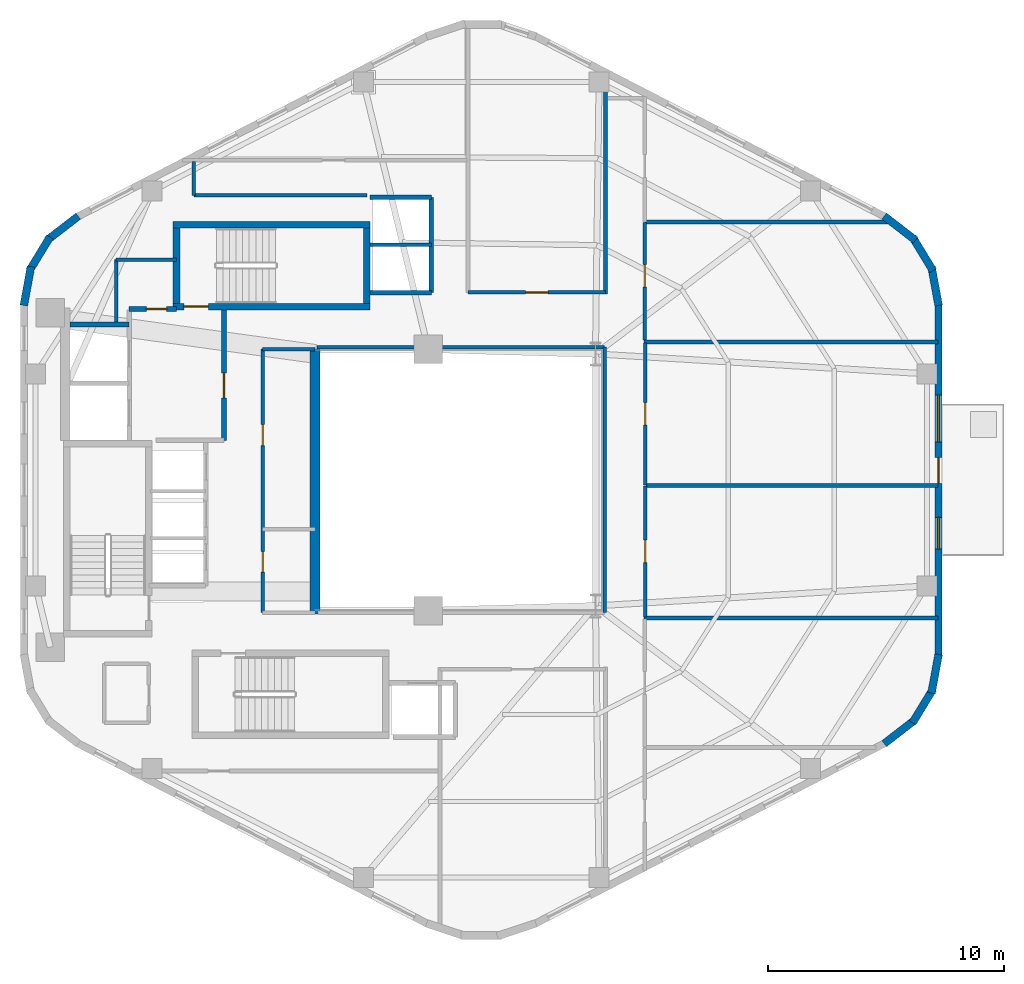
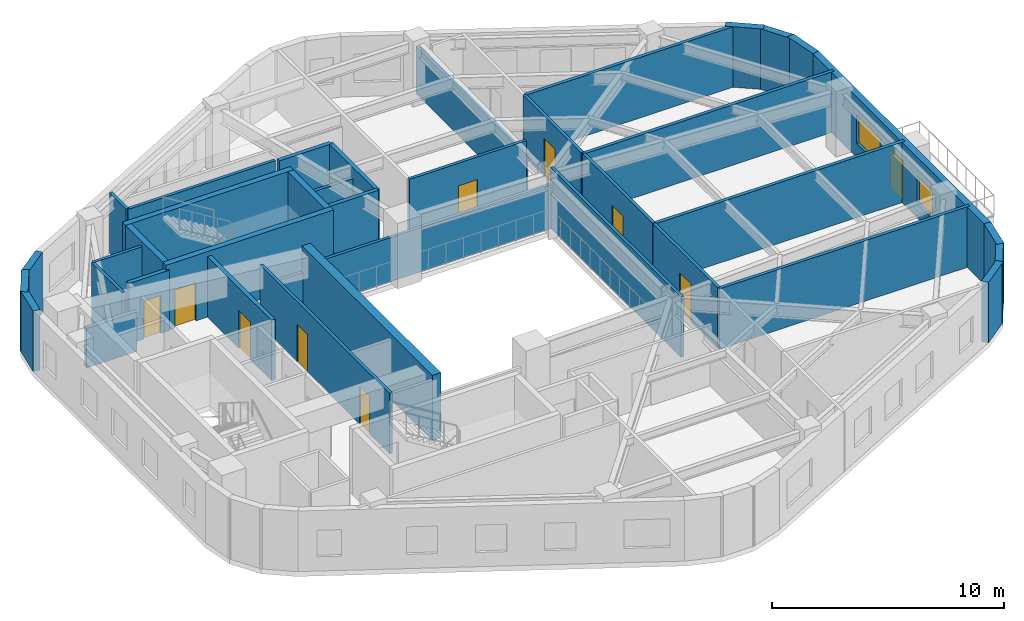
# One storey, part 4 of 7: 39 walls, 10 doors, 2 windows, 12 openings.
"""IFC4 building model written with IfcOpenShell, lengths in metres."""

from ifc_helpers import new_model, si_unit, direction, frame, frame_2d, origin, place, context, subcontext, project, spatial, rectangle, extrude, material, layer, layer_set, type_object, element, fill, save


model = new_model("IFC4")

# Units and contexts
model_context = context("Model", 3, precision=1e-05, world=origin(), true_north=direction((0.0, 1.0)))
body_context = subcontext(model_context, "Body", "Model", "MODEL_VIEW")
ifc_project = project(units=[si_unit("LENGTHUNIT", "METRE"), si_unit("AREAUNIT", "SQUARE_METRE"), si_unit("VOLUMEUNIT", "CUBIC_METRE"), si_unit("PLANEANGLEUNIT", "RADIAN"), si_unit("MASSUNIT", "GRAM", prefix="KILO"), si_unit("THERMODYNAMICTEMPERATUREUNIT", "KELVIN"), si_unit("POWERUNIT", "WATT")], contexts=[model_context])

# Site, building, storey
site_placement = place(None, origin())
site = spatial("IfcSite", under=ifc_project, at=site_placement, CompositionType="ELEMENT")
building_placement = place(site_placement, origin())
building = spatial("IfcBuilding", under=site, at=building_placement, Name="Skarre Station Tower", CompositionType="ELEMENT")
storey_placement = place(building_placement, frame((0.0, 0.0, 213.699951171875)))
storey = spatial("IfcBuildingStorey", under=building, at=storey_placement, Name="L58", CompositionType="ELEMENT", Elevation=213.699951171875)

# Wall, openings, doors
ifc_material_1 = material(Name="Acoustic Steel-Stud Gypsum Partition", Category="steel")
ifc_layer_1 = layer(ifc_material_1, 0.14990234375, Name="Acoustic Steel-Stud Gypsum Partition")
ifc_layer_set_1 = layer_set([ifc_layer_1], Name="Acoustic Steel-Stud Gypsum Partition")
wall_type_1 = type_object("IfcWallType", Name="Fire-Rated Corridor Acoustic Partition 150", PredefinedType="PARTITIONING", material=ifc_layer_set_1)
wall_1_placement = place(storey_placement, frame((25.320068359375, 29.550048828125, 0.0), z_axis=(0.0, 0.0, 1.0), x_axis=(0.0, -1.0, 0.0)))
wall_1 = element("IfcWall", 1, at=wall_1_placement, inside=storey, type_object=wall_type_1, Name="L58 Interior Partition WL-PT-L58-RC2-W", PredefinedType="PARTITIONING", context=body_context, shape_type="SweptSolid", body=[
    extrude(rectangle(XDim=11.18994140625, YDim=0.14990234375, at=frame_2d((5.594970703125, 0.0))), origin(), (0.0, 0.0, 1.0), 3.18994140625),
])
opening_1_placement = place(wall_1_placement, frame((3.199951171875, 0.0, 0.0)))
opening_1 = element("IfcOpeningElement", 2, at=opening_1_placement, cuts=wall_1, Name="Opening DR-SVC90", PredefinedType="OPENING", context=body_context, shape_type="SweptSolid", body=[
    extrude(rectangle(XDim=0.89990234375, YDim=2.0, at=frame_2d((0.449951171875, 1.0))), frame((0.0, 0.0849609375, 0.0), z_axis=(0.0, -1.0, 0.0), x_axis=(1.0, 0.0, 0.0)), (0.0, 0.0, 1.0), 0.169921875),
])
opening_2_placement = place(wall_1_placement, frame((8.60009765625, 0.0, 0.0)))
opening_2 = element("IfcOpeningElement", 3, at=opening_2_placement, cuts=wall_1, Name="Opening DR-SVC86", PredefinedType="OPENING", context=body_context, shape_type="SweptSolid", body=[
    extrude(rectangle(XDim=0.860107421875, YDim=2.0, at=frame_2d((0.43017578125, 1.0))), frame((0.0, 0.0849609375, 0.0), z_axis=(0.0, -1.0, 0.0), x_axis=(1.0, 0.0, 0.0)), (0.0, 0.0, 1.0), 0.169921875),
])
ifc_material_2 = material(Name="Powder-Coated Hollow-Metal Acoustic Fire Leaf", Category="steel")
door_type_1 = type_object("IfcDoorType", Name="Compact Riser Fire Door FD60 860x2100", OperationType="SINGLE_SWING_LEFT", PredefinedType="DOOR", material=ifc_material_2)
door_1_placement = place(opening_2_placement, origin())
door_1 = element("IfcDoor", 4, at=door_1_placement, inside=storey, type_object=door_type_1, Name="L58 Espresso Room Door", OperationType="SINGLE_SWING_LEFT", OverallHeight=2.0, OverallWidth=0.860107421875, PredefinedType="DOOR", context=body_context, shape_type="SweptSolid", body=[
    extrude(rectangle(XDim=0.860107421875, YDim=2.0, at=frame_2d((0.43017578125, 1.0))), frame((0.0, 0.02490234375, 0.0), z_axis=(0.0, -1.0, 0.0), x_axis=(1.0, 0.0, 0.0)), (0.0, 0.0, 1.0), 0.050048828125),
])
fill(opening_2, door_1)
door_type_2 = type_object("IfcDoorType", Name="Service & Riser Fire Door FD60 900x2100", OperationType="SINGLE_SWING_LEFT", PredefinedType="DOOR", material=ifc_material_2)
door_2_placement = place(opening_1_placement, origin())
door_2 = element("IfcDoor", 5, at=door_2_placement, inside=storey, type_object=door_type_2, Name="L58 Housekeeping Store Door", OperationType="SINGLE_SWING_LEFT", OverallHeight=2.0, OverallWidth=0.89990234375, PredefinedType="DOOR", context=body_context, shape_type="SweptSolid", body=[
    extrude(rectangle(XDim=0.89990234375, YDim=2.0, at=frame_2d((0.449951171875, 1.0))), frame((0.0, 0.02490234375, 0.0), z_axis=(0.0, -1.0, 0.0), x_axis=(1.0, 0.0, 0.0)), (0.0, 0.0, 1.0), 0.050048828125),
])
fill(opening_1, door_2)

# Walls
wall_2_placement = place(storey_placement, frame((27.550048828125, 29.550048828125, 0.0), z_axis=(0.0, 0.0, 1.0), x_axis=(-1.0, 0.0, 0.0)))
element("IfcWall", 6, at=wall_2_placement, inside=storey, type_object=wall_type_1, Name="L58 Interior Partition WL-PT-L58-RC2-N", PredefinedType="PARTITIONING", context=body_context, shape_type="SweptSolid", body=[
    extrude(rectangle(XDim=2.22998046875, YDim=0.14990234375, at=frame_2d((1.114990234375, 0.0))), origin(), (0.0, 0.0, 1.0), 2.090087890625),
])
wall_3_placement = place(storey_placement, frame((19.10009765625, 33.35009765625, 0.0), z_axis=(0.0, 0.0, 1.0), x_axis=(0.0, -1.0, 0.0)))
element("IfcWall", 7, at=wall_3_placement, inside=storey, type_object=wall_type_1, Name="L58 Interior Partition WL-PT-L58-CNW-W", PredefinedType="PARTITIONING", context=body_context, shape_type="SweptSolid", body=[
    extrude(rectangle(XDim=2.655029296875, YDim=0.14990234375, at=frame_2d((1.32763671875, 0.0))), origin(), (0.0, 0.0, 1.0), 3.18994140625),
])
wall_4_placement = place(storey_placement, frame((21.659912109375, 33.35009765625, 0.0), z_axis=(0.0, 0.0, 1.0), x_axis=(-1.0, 0.0, 0.0)))
element("IfcWall", 8, at=wall_4_placement, inside=storey, type_object=wall_type_1, Name="L58 Interior Partition WL-PT-L58-CNW-N1", PredefinedType="PARTITIONING", context=body_context, shape_type="SweptSolid", body=[
    extrude(rectangle(XDim=2.559814453125, YDim=0.14990234375, at=frame_2d((1.27978515625, 0.0))), origin(), (0.0, 0.0, 1.0), 3.18994140625),
])
wall_5_placement = place(storey_placement, frame((39.840087890625, 29.639892578125, 0.0), z_axis=(0.0, 0.0, 1.0), x_axis=(-1.0, 0.0, 0.0)))
element("IfcWall", 9, at=wall_5_placement, inside=storey, type_object=wall_type_1, Name="L58 Interior Partition WL-PT-L58-ATRW-N", PredefinedType="PARTITIONING", context=body_context, shape_type="SweptSolid", body=[
    extrude(rectangle(XDim=12.203125, YDim=0.14990234375, at=frame_2d((6.1015625, 0.0))), origin(), (0.0, 0.0, 1.0), 2.3310546875),
])
wall_6_placement = place(storey_placement, frame((39.840087890625, 18.360107421875, 0.0), z_axis=(0.0, 0.0, 1.0), x_axis=(0.0, 1.0, 0.0)))
element("IfcWall", 10, at=wall_6_placement, inside=storey, type_object=wall_type_1, Name="L58 Interior Partition WL-PT-L58-ATRW-E", PredefinedType="PARTITIONING", context=body_context, shape_type="SweptSolid", body=[
    extrude(rectangle(XDim=11.27978515625, YDim=0.14990234375, at=frame_2d((5.639892578125, 0.0))), origin(), (0.0, 0.0, 1.0), 3.18994140625),
])

# Wall, opening, door
wall_7_placement = place(storey_placement, frame((39.8798828125, 31.9599609375, 0.0), z_axis=(0.0, 0.0, 1.0), x_axis=(-1.0, 0.0, 0.0)))
wall_7 = element("IfcWall", 11, at=wall_7_placement, inside=storey, type_object=wall_type_1, Name="L58 Interior Partition WL-PT-L58-NWC1-CW", PredefinedType="PARTITIONING", context=body_context, shape_type="SweptSolid", body=[
    extrude(rectangle(XDim=5.83984375, YDim=0.14990234375, at=frame_2d((2.919921875, 0.0))), origin(), (0.0, 0.0, 1.0), 3.18994140625),
])
opening_3_placement = place(wall_7_placement, frame((2.43994140625, 0.0, 0.0)))
opening_3 = element("IfcOpeningElement", 12, at=opening_3_placement, cuts=wall_7, Name="Opening DR-FD60", PredefinedType="OPENING", context=body_context, shape_type="SweptSolid", body=[
    extrude(rectangle(XDim=0.9599609375, YDim=2.0, at=frame_2d((0.47998046875, 1.0))), frame((0.0, 0.0849609375, 0.0), z_axis=(0.0, -1.0, 0.0), x_axis=(1.0, 0.0, 0.0)), (0.0, 0.0, 1.0), 0.169921875),
])
ifc_material_3 = material(Name="Nordic White-Oak Veneer Solid-Core Fire Leaf", Category="wood")
door_type_3 = type_object("IfcDoorType", Name="Corridor Suite Entry Fire Door FD60 960x2150", OperationType="SINGLE_SWING_LEFT", PredefinedType="DOOR", material=ifc_material_3)
door_3_placement = place(opening_3_placement, origin())
door_3 = element("IfcDoor", 13, at=door_3_placement, inside=storey, type_object=door_type_3, Name="L58 NWC1 Entry Door", OperationType="SINGLE_SWING_LEFT", OverallHeight=2.0, OverallWidth=0.9599609375, PredefinedType="DOOR", context=body_context, shape_type="SweptSolid", body=[
    extrude(rectangle(XDim=0.9599609375, YDim=2.0, at=frame_2d((0.47998046875, 1.0))), frame((0.0, 0.02490234375, 0.0), z_axis=(0.0, -1.0, 0.0), x_axis=(1.0, 0.0, 0.0)), (0.0, 0.0, 1.0), 0.050048828125),
])
fill(opening_3, door_3)

wall_8_placement = place(storey_placement, frame((41.5400390625, 34.93798828125, 0.0), z_axis=(0.0, 0.0, 1.0), x_axis=(0.0, -1.0, 0.0)))
wall_8 = element("IfcWall", 14, at=wall_8_placement, inside=storey, type_object=wall_type_1, Name="L58 Interior Partition WL-PT-L58-NW1-CW", PredefinedType="PARTITIONING", context=body_context, shape_type="SweptSolid", body=[
    extrude(rectangle(XDim=5.0, YDim=0.14990234375, at=frame_2d((2.5, 0.0))), origin(), (0.0, 0.0, 1.0), 3.18994140625),
])
opening_4_placement = place(wall_8_placement, frame((1.794921875, 0.0, 0.0)))
opening_4 = element("IfcOpeningElement", 15, at=opening_4_placement, cuts=wall_8, Name="Opening DR-FD60", PredefinedType="OPENING", context=body_context, shape_type="SweptSolid", body=[
    extrude(rectangle(XDim=0.9599609375, YDim=2.0, at=frame_2d((0.47998046875, 1.0))), frame((0.0, 0.0849609375, 0.0), z_axis=(0.0, -1.0, 0.0), x_axis=(1.0, 0.0, 0.0)), (0.0, 0.0, 1.0), 0.169921875),
])
door_4_placement = place(opening_4_placement, origin())
door_4 = element("IfcDoor", 16, at=door_4_placement, inside=storey, type_object=door_type_3, Name="L58 NW1 Entry Door", OperationType="SINGLE_SWING_LEFT", OverallHeight=2.0, OverallWidth=0.9599609375, PredefinedType="DOOR", context=body_context, shape_type="SweptSolid", body=[
    extrude(rectangle(XDim=0.9599609375, YDim=2.0, at=frame_2d((0.47998046875, 1.0))), frame((0.0, 0.02490234375, 0.0), z_axis=(0.0, -1.0, 0.0), x_axis=(1.0, 0.0, 0.0)), (0.0, 0.0, 1.0), 0.050048828125),
])
fill(opening_4, door_4)

wall_9_placement = place(storey_placement, frame((41.56005859375, 18.179931640625, 0.0), z_axis=(0.0, 0.0, 1.0), x_axis=(0.0, 1.0, 0.0)))
wall_9 = element("IfcWall", 17, at=wall_9_placement, inside=storey, type_object=wall_type_1, Name="L58 Interior Partition WL-PT-L58-EW1-CW", PredefinedType="PARTITIONING", context=body_context, shape_type="SweptSolid", body=[
    extrude(rectangle(XDim=5.569091796875, YDim=0.14990234375, at=frame_2d((2.78466796875, 0.0))), origin(), (0.0, 0.0, 1.0), 3.18994140625),
])
opening_5_placement = place(wall_9_placement, frame((2.304931640625, 0.0, 0.0)))
opening_5 = element("IfcOpeningElement", 18, at=opening_5_placement, cuts=wall_9, Name="Opening DR-FD60", PredefinedType="OPENING", context=body_context, shape_type="SweptSolid", body=[
    extrude(rectangle(XDim=0.9599609375, YDim=2.0, at=frame_2d((0.47998046875, 1.0))), frame((0.0, 0.0849609375, 0.0), z_axis=(0.0, -1.0, 0.0), x_axis=(1.0, 0.0, 0.0)), (0.0, 0.0, 1.0), 0.169921875),
])
door_5_placement = place(opening_5_placement, origin())
door_5 = element("IfcDoor", 19, at=door_5_placement, inside=storey, type_object=door_type_3, Name="L58 EW1 Entry Door", OperationType="SINGLE_SWING_LEFT", OverallHeight=2.0, OverallWidth=0.9599609375, PredefinedType="DOOR", context=body_context, shape_type="SweptSolid", body=[
    extrude(rectangle(XDim=0.9599609375, YDim=2.0, at=frame_2d((0.47998046875, 1.0))), frame((0.0, 0.02490234375, 0.0), z_axis=(0.0, -1.0, 0.0), x_axis=(1.0, 0.0, 0.0)), (0.0, 0.0, 1.0), 0.050048828125),
])
fill(opening_5, door_5)

wall_10_placement = place(storey_placement, frame((41.56005859375, 23.784912109375, 0.0), z_axis=(0.0, 0.0, 1.0), x_axis=(0.0, 1.0, 0.0)))
wall_10 = element("IfcWall", 20, at=wall_10_placement, inside=storey, type_object=wall_type_1, Name="L58 Interior Partition WL-PT-L58-EW2-CW", PredefinedType="PARTITIONING", context=body_context, shape_type="SweptSolid", body=[
    extrude(rectangle(XDim=6.03515625, YDim=0.14990234375, at=frame_2d((3.017578125, 0.0))), origin(), (0.0, 0.0, 1.0), 3.18994140625),
])
opening_6_placement = place(wall_10_placement, frame((2.5380859375, 0.0, 0.0)))
opening_6 = element("IfcOpeningElement", 21, at=opening_6_placement, cuts=wall_10, Name="Opening DR-FD60", PredefinedType="OPENING", context=body_context, shape_type="SweptSolid", body=[
    extrude(rectangle(XDim=0.9599609375, YDim=2.0, at=frame_2d((0.47998046875, 1.0))), frame((0.0, 0.0849609375, 0.0), z_axis=(0.0, -1.0, 0.0), x_axis=(1.0, 0.0, 0.0)), (0.0, 0.0, 1.0), 0.169921875),
])
door_6_placement = place(opening_6_placement, origin())
door_6 = element("IfcDoor", 22, at=door_6_placement, inside=storey, type_object=door_type_3, Name="L58 EW2 Entry Door", OperationType="SINGLE_SWING_LEFT", OverallHeight=2.0, OverallWidth=0.9599609375, PredefinedType="DOOR", context=body_context, shape_type="SweptSolid", body=[
    extrude(rectangle(XDim=0.9599609375, YDim=2.0, at=frame_2d((0.47998046875, 1.0))), frame((0.0, 0.02490234375, 0.0), z_axis=(0.0, -1.0, 0.0), x_axis=(1.0, 0.0, 0.0)), (0.0, 0.0, 1.0), 0.050048828125),
])
fill(opening_6, door_6)

# Walls
wall_11_placement = place(storey_placement, frame((29.7529296875, 36.080078125, 0.0), z_axis=(0.0, 0.0, 1.0), x_axis=(-1.0, 0.0, 0.0)))
element("IfcWall", 23, at=wall_11_placement, inside=storey, type_object=wall_type_1, Name="L58 Interior Partition WL-PT-L58-CSEAL-1", PredefinedType="PARTITIONING", context=body_context, shape_type="SweptSolid", body=[
    extrude(rectangle(XDim=7.35302734375, YDim=0.14990234375, at=frame_2d((3.676513671875, 0.0))), origin(), (0.0, 0.0, 1.0), 3.18994140625),
])
wall_12_placement = place(storey_placement, frame((22.39990234375, 36.080078125, 0.0), z_axis=(0.0, 0.0, 1.0), x_axis=(0.0, 1.0, 0.0)))
element("IfcWall", 24, at=wall_12_placement, inside=storey, type_object=wall_type_1, Name="L58 Interior Partition WL-PT-L58-CSEAL-2", PredefinedType="PARTITIONING", context=body_context, shape_type="SweptSolid", body=[
    extrude(rectangle(XDim=1.429931640625, YDim=0.14990234375, at=frame_2d((0.71484375, 0.0))), origin(), (0.0, 0.0, 1.0), 3.18994140625),
])
ifc_material_4 = material(Name="Precast concrete C45/55", Category="concrete")
ifc_layer_2 = layer(ifc_material_4, 0.330078125, Name="Precast concrete C45/55")
ifc_layer_set_2 = layer_set([ifc_layer_2], Name="Precast concrete C45/55")
wall_type_2 = type_object("IfcWallType", Name="Nordic Rounded Corner Precast Wall 330", PredefinedType="STANDARD", material=ifc_layer_set_2)
wall_13_placement = place(storey_placement, frame((51.7109375, 35.199951171875, 0.0), z_axis=(0.0, 0.0, 1.0), x_axis=(0.791464279355, -0.611215423976, 0.0)))
element("IfcWall", 25, at=wall_13_placement, inside=storey, type_object=wall_type_2, Name="L58 Rounded Corner Precast Wall F0-1", PredefinedType="STANDARD", context=body_context, shape_type="SweptSolid", body=[
    extrude(rectangle(XDim=1.6767578125, YDim=0.330078125, at=frame_2d((0.83837890625, 0.0))), origin(), (0.0, 0.0, 1.0), 3.18994140625),
])
wall_14_placement = place(storey_placement, frame((52.912109375, 34.31494140625, 0.0), z_axis=(0.0, 0.0, 1.0), x_axis=(0.520219286058, -0.85403272444, 0.0)))
element("IfcWall", 26, at=wall_14_placement, inside=storey, type_object=wall_type_2, Name="L58 Rounded Corner Precast Wall F0-2", PredefinedType="STANDARD", context=body_context, shape_type="SweptSolid", body=[
    extrude(rectangle(XDim=1.677734375, YDim=0.330078125, at=frame_2d((0.8388671875, 0.0))), origin(), (0.0, 0.0, 1.0), 3.18994140625),
])
for number, where, z_axis, x_axis, name in (
    (27, (53.718017578125, 33.056884765625, 0.0), (0.0, 0.0, 1.0), (0.180717642671, -0.983535019014, 0.0), "L58 Rounded Corner Precast Wall F0-3"),
    (28, (15.178955078125, 31.407958984375, 0.0), (0.0, 0.0, 1.0), (0.180717642671, 0.983535019014, 0.0), "L58 Rounded Corner Precast Wall F2-1"),
):
    element("IfcWall", number, at=place(storey_placement, frame(where, z_axis=z_axis, x_axis=x_axis)), inside=storey, type_object=wall_type_2, Name=name, PredefinedType="STANDARD", context=body_context, shape_type="SweptSolid", body=[
        extrude(rectangle(XDim=1.676513671875, YDim=0.330078125, at=frame_2d((0.83837890625, 0.0))), origin(), (0.0, 0.0, 1.0), 3.18994140625),
    ])
wall_15_placement = place(storey_placement, frame((15.4150390625, 32.882080078125, 0.0), z_axis=(0.0, 0.0, 1.0), x_axis=(0.520325409202, 0.853968072318, 0.0)))
element("IfcWall", 29, at=wall_15_placement, inside=storey, type_object=wall_type_2, Name="L58 Rounded Corner Precast Wall F2-2", PredefinedType="STANDARD", context=body_context, shape_type="SweptSolid", body=[
    extrude(rectangle(XDim=1.677978515625, YDim=0.330078125, at=frame_2d((0.8388671875, 0.0))), origin(), (0.0, 0.0, 1.0), 3.18994140625),
])
for number, where, z_axis, x_axis, name in (
    (30, (16.162109375, 34.175048828125, 0.0), (0.0, 0.0, 1.0), (0.791409877269, 0.611285862884, 0.0), "L58 Rounded Corner Precast Wall F2-3"),
    (31, (54.02099609375, 16.592041015625, 0.0), (0.0, 0.0, 1.0), (-0.180717642671, -0.983535019014, 0.0), "L58 Rounded Corner Precast Wall F5-1"),
):
    element("IfcWall", number, at=place(storey_placement, frame(where, z_axis=z_axis, x_axis=x_axis)), inside=storey, type_object=wall_type_2, Name=name, PredefinedType="STANDARD", context=body_context, shape_type="SweptSolid", body=[
        extrude(rectangle(XDim=1.676513671875, YDim=0.330078125, at=frame_2d((0.83837890625, 0.0))), origin(), (0.0, 0.0, 1.0), 3.18994140625),
    ])
wall_16_placement = place(storey_placement, frame((53.784912109375, 15.117919921875, 0.0), z_axis=(0.0, 0.0, 1.0), x_axis=(-0.520219286058, -0.85403272444, 0.0)))
element("IfcWall", 32, at=wall_16_placement, inside=storey, type_object=wall_type_2, Name="L58 Rounded Corner Precast Wall F5-2", PredefinedType="STANDARD", context=body_context, shape_type="SweptSolid", body=[
    extrude(rectangle(XDim=1.677734375, YDim=0.330078125, at=frame_2d((0.8388671875, 0.0))), origin(), (0.0, 0.0, 1.0), 3.18994140625),
])
wall_17_placement = place(storey_placement, frame((53.0380859375, 13.824951171875, 0.0), z_axis=(0.0, 0.0, 1.0), x_axis=(-0.791464279355, -0.611215423976, 0.0)))
element("IfcWall", 33, at=wall_17_placement, inside=storey, type_object=wall_type_2, Name="L58 Rounded Corner Precast Wall F5-3", PredefinedType="STANDARD", context=body_context, shape_type="SweptSolid", body=[
    extrude(rectangle(XDim=1.6767578125, YDim=0.330078125, at=frame_2d((0.83837890625, 0.0))), origin(), (0.0, 0.0, 1.0), 3.18994140625),
])

# Wall, openings, windows, door
ifc_layer_3 = layer(ifc_material_4, 0.31005859375, Name="Precast concrete C45/55")
ifc_layer_set_3 = layer_set([ifc_layer_3], Name="Precast concrete C45/55")
wall_type_3 = type_object("IfcWallType", Name="Nordic Upper-Zone Precast Facet Wall 310", PredefinedType="STANDARD", material=ifc_layer_set_3)
wall_18_placement = place(storey_placement, frame((54.01708984375, 31.501953125, 0.0), z_axis=(0.0, 0.0, 1.0), x_axis=(0.0, -1.0, 0.0)))
wall_18 = element("IfcWall", 34, at=wall_18_placement, inside=storey, type_object=wall_type_3, Name="L58 Facet 5 Nordic Precast Masonry Wall", PredefinedType="STANDARD", context=body_context, shape_type="SweptSolid", body=[
    extrude(rectangle(XDim=15.00390625, YDim=0.31005859375, at=frame_2d((7.501953125, 0.0))), origin(), (0.0, 0.0, 1.0), 3.18994140625),
])
opening_7_placement = place(wall_18_placement, frame((6.552001953125, 0.0, 0.0)))
opening_7 = element("IfcOpeningElement", 35, at=opening_7_placement, cuts=wall_18, Name="Opening DR-BAL110", PredefinedType="OPENING", context=body_context, shape_type="SweptSolid", body=[
    extrude(rectangle(XDim=1.10009765625, YDim=2.0400390625, at=frame_2d((0.550048828125, 1.02001953125))), frame((0.0, 0.1650390625, 0.0), z_axis=(0.0, -1.0, 0.0), x_axis=(1.0, 0.0, 0.0)), (0.0, 0.0, 1.0), 0.330078125),
])
opening_8_placement = place(wall_18_placement, frame((3.89892578125, 0.0, 0.75)))
opening_8 = element("IfcOpeningElement", 36, at=opening_8_placement, cuts=wall_18, Name="Opening WN-Z3A", PredefinedType="OPENING", context=body_context, shape_type="SweptSolid", body=[
    extrude(rectangle(XDim=2.0, YDim=1.5, at=frame_2d((1.0, 0.75))), frame((0.0, 0.1650390625, 0.0), z_axis=(0.0, -1.0, 0.0), x_axis=(1.0, 0.0, 0.0)), (0.0, 0.0, 1.0), 0.330078125),
])
opening_9_placement = place(wall_18_placement, frame((9.093017578125, 0.0, 0.75)))
opening_9 = element("IfcOpeningElement", 37, at=opening_9_placement, cuts=wall_18, Name="Opening WN-Z3B", PredefinedType="OPENING", context=body_context, shape_type="SweptSolid", body=[
    extrude(rectangle(XDim=1.35009765625, YDim=1.449951171875, at=frame_2d((0.675048828125, 0.72509765625))), frame((0.0, 0.1650390625, 0.0), z_axis=(0.0, -1.0, 0.0), x_axis=(1.0, 0.0, 0.0)), (0.0, 0.0, 1.0), 0.330078125),
])
ifc_material_5 = material(Name="Low-Iron Triple Glazing with Bronze Anodized Frame", Category="glass")
window_type_1 = type_object("IfcWindowType", Name="Nordic Hospitality Narrow Window 1350x1450", PartitioningType="SINGLE_PANEL", PredefinedType="WINDOW", material=ifc_material_5)
window_1_placement = place(opening_9_placement, origin())
window_1 = element("IfcWindow", 38, at=window_1_placement, inside=storey, type_object=window_type_1, Name="L58 Facade Window WL-FAC-L58-F5-2", OverallHeight=1.449951171875, OverallWidth=1.35009765625, PartitioningType="SINGLE_PANEL", PredefinedType="WINDOW", context=body_context, shape_type="SweptSolid", body=[
    extrude(rectangle(XDim=1.35009765625, YDim=1.449951171875, at=frame_2d((0.675048828125, 0.72509765625))), frame((0.0, 0.030029296875, 0.0), z_axis=(0.0, -1.0, 0.0), x_axis=(1.0, 0.0, 0.0)), (0.0, 0.0, 1.0), 0.06005859375),
])
fill(opening_9, window_1)
window_type_2 = type_object("IfcWindowType", Name="Nordic Hospitality Window 2000x1500", PartitioningType="SINGLE_PANEL", PredefinedType="WINDOW", material=ifc_material_5)
window_2_placement = place(opening_8_placement, origin())
window_2 = element("IfcWindow", 39, at=window_2_placement, inside=storey, type_object=window_type_2, Name="L58 Facade Window WL-FAC-L58-F5-1", OverallHeight=1.5, OverallWidth=2.0, PartitioningType="SINGLE_PANEL", PredefinedType="WINDOW", context=body_context, shape_type="SweptSolid", body=[
    extrude(rectangle(XDim=2.0, YDim=1.5, at=frame_2d((1.0, 0.75))), frame((0.0, 0.030029296875, 0.0), z_axis=(0.0, -1.0, 0.0), x_axis=(1.0, 0.0, 0.0)), (0.0, 0.0, 1.0), 0.06005859375),
])
fill(opening_8, window_2)
ifc_material_6 = material(Name="Thermally Broken Aluminium & Triple Glazing", Category="aluminium")
door_type_4 = type_object("IfcDoorType", Name="Terrace & Tree-Balcony Glazed Door 1100x2200", OperationType="SINGLE_SWING_LEFT", PredefinedType="DOOR", material=ifc_material_6)
door_7_placement = place(opening_7_placement, origin())
door_7 = element("IfcDoor", 40, at=door_7_placement, inside=storey, type_object=door_type_4, Name="L58 TB-L58-F5 Tree-Balcony Glazed Door", OperationType="SINGLE_SWING_LEFT", OverallHeight=2.0400390625, OverallWidth=1.10009765625, PredefinedType="DOOR", context=body_context, shape_type="SweptSolid", body=[
    extrude(rectangle(XDim=1.10009765625, YDim=2.0400390625, at=frame_2d((0.550048828125, 1.02001953125))), frame((0.0, 0.02490234375, 0.0), z_axis=(0.0, -1.0, 0.0), x_axis=(1.0, 0.0, 0.0)), (0.0, 0.0, 1.0), 0.050048828125),
])
fill(opening_7, door_7)

# Wall, opening, door
ifc_material_7 = material(Name="Concrete C50/60", Category="concrete")
ifc_layer_4 = layer(ifc_material_7, 0.280029296875, Name="Concrete C50/60")
ifc_layer_set_4 = layer_set([ifc_layer_4], Name="Concrete C50/60")
wall_type_4 = type_object("IfcWallType", Name="RC Core Shear Wall 280", PredefinedType="SHEAR", material=ifc_layer_set_4)
wall_19_placement = place(storey_placement, frame((21.52001953125, 31.360107421875, 0.0), z_axis=(0.0, 0.0, 1.0), x_axis=(1.0, 0.0, 0.0)))
wall_19 = element("IfcWall", 41, at=wall_19_placement, inside=storey, type_object=wall_type_4, Name="L58 Stair ST-3 South Shear Wall", PredefinedType="SHEAR", context=body_context, shape_type="SweptSolid", body=[
    extrude(rectangle(XDim=8.35986328125, YDim=0.280029296875, at=frame_2d((4.179931640625, 0.0))), origin(), (0.0, 0.0, 1.0), 3.449951171875),
])
opening_10_placement = place(wall_19_placement, frame((0.449951171875, 0.0, 0.0)))
opening_10 = element("IfcOpeningElement", 42, at=opening_10_placement, cuts=wall_19, Name="Opening DR-FD90", PredefinedType="OPENING", context=body_context, shape_type="SweptSolid", body=[
    extrude(rectangle(XDim=1.050048828125, YDim=2.0, at=frame_2d((0.52490234375, 1.0))), frame((0.0, 0.14990234375, 0.0), z_axis=(0.0, -1.0, 0.0), x_axis=(1.0, 0.0, 0.0)), (0.0, 0.0, 1.0), 0.300048828125),
])
ifc_material_8 = material(Name="Fire-Rated Insulated Steel Frame & Timber Core Leaf", Category="steel")
door_type_5 = type_object("IfcDoorType", Name="Stair & FSAE Lobby Fire Door FD90 1050x2150", OperationType="SINGLE_SWING_RIGHT", PredefinedType="DOOR", material=ifc_material_8)
door_8_placement = place(opening_10_placement, origin())
door_8 = element("IfcDoor", 43, at=door_8_placement, inside=storey, type_object=door_type_5, Name="L58 Stair ST-3 & FSAE Lobby Direct Exit Door", OperationType="SINGLE_SWING_LEFT", OverallHeight=2.0, OverallWidth=1.050048828125, PredefinedType="DOOR", context=body_context, shape_type="SweptSolid", body=[
    extrude(rectangle(XDim=1.050048828125, YDim=2.0, at=frame_2d((0.52490234375, 1.0))), frame((0.0, 0.02490234375, 0.0), z_axis=(0.0, -1.0, 0.0), x_axis=(1.0, 0.0, 0.0)), (0.0, 0.0, 1.0), 0.050048828125),
])
fill(opening_10, door_8)

# Walls
wall_20_placement = place(storey_placement, frame((29.8798828125, 34.840087890625, 0.0), z_axis=(0.0, 0.0, 1.0), x_axis=(-1.0, 0.0, 0.0)))
element("IfcWall", 44, at=wall_20_placement, inside=storey, type_object=wall_type_4, Name="L58 Stair ST-3 North Shear Wall", PredefinedType="SHEAR", context=body_context, shape_type="SweptSolid", body=[
    extrude(rectangle(XDim=8.35986328125, YDim=0.280029296875, at=frame_2d((4.179931640625, 0.0))), origin(), (0.0, 0.0, 1.0), 3.449951171875),
])
for number, where, z_axis, x_axis, name in (
    (45, (21.659912109375, 34.699951171875, 0.0), (0.0, 0.0, 1.0), (0.0, -1.0, 0.0), "L58 Stair ST-3 West Shear Wall"),
    (46, (29.739990234375, 31.5, 0.0), (0.0, 0.0, 1.0), (0.0, 1.0, 0.0), "L58 Stair ST-3 East Shear Wall"),
):
    element("IfcWall", number, at=place(storey_placement, frame(where, z_axis=z_axis, x_axis=x_axis)), inside=storey, type_object=wall_type_4, Name=name, PredefinedType="SHEAR", context=body_context, shape_type="SweptSolid", body=[
        extrude(rectangle(XDim=3.199951171875, YDim=0.280029296875, at=frame_2d((1.60009765625, 0.0))), origin(), (0.0, 0.0, 1.0), 3.449951171875),
    ])
ifc_material_9 = material(Name="Concrete C60/75", Category="concrete")
ifc_layer_5 = layer(ifc_material_9, 0.419921875, Name="Concrete C60/75")
ifc_layer_set_5 = layer_set([ifc_layer_5], Name="Concrete C60/75")
wall_type_5 = type_object("IfcWallType", Name="RC Core Shear Wall 420", PredefinedType="SHEAR", material=ifc_layer_set_5)
wall_21_placement = place(storey_placement, frame((27.550048828125, 29.550048828125, 0.0), z_axis=(0.0, 0.0, 1.0), x_axis=(0.0, -1.0, 0.0)))
element("IfcWall", 47, at=wall_21_placement, inside=storey, type_object=wall_type_5, Name="L58 Core East Atrium Shear Wall", PredefinedType="SHEAR", context=body_context, shape_type="SweptSolid", body=[
    extrude(rectangle(XDim=11.25, YDim=0.419921875, at=frame_2d((5.625, 0.0))), origin(), (0.0, 0.0, 1.0), 3.449951171875),
])

# Wall, opening, door
ifc_material_10 = material(Name="Gypsum Concrete Shaft Assembly C30/37", Category="concrete")
ifc_layer_6 = layer(ifc_material_10, 0.199951171875, Name="Gypsum Concrete Shaft Assembly C30/37")
ifc_layer_set_6 = layer_set([ifc_layer_6], Name="Gypsum Concrete Shaft Assembly C30/37")
wall_type_6 = type_object("IfcWallType", Name="Shaft & Core Fire Partition 200", PredefinedType="PARTITIONING", material=ifc_layer_set_6)
wall_22_placement = place(storey_placement, frame((23.679931640625, 25.679931640625, 0.0), z_axis=(0.0, 0.0, 1.0), x_axis=(0.0, 1.0, 0.0)))
wall_22 = element("IfcWall", 48, at=wall_22_placement, inside=storey, type_object=wall_type_6, Name="L58 Interior Partition WL-PT-L58-FSAE-E", PredefinedType="PARTITIONING", context=body_context, shape_type="SweptSolid", body=[
    extrude(rectangle(XDim=5.5400390625, YDim=0.199951171875, at=frame_2d((2.77001953125, 0.0))), origin(), (0.0, 0.0, 1.0), 3.18994140625),
])
opening_11_placement = place(wall_22_placement, frame((1.800048828125, 0.0, 0.0)))
opening_11 = element("IfcOpeningElement", 49, at=opening_11_placement, cuts=wall_22, Name="Opening DR-FD90", PredefinedType="OPENING", context=body_context, shape_type="SweptSolid", body=[
    extrude(rectangle(XDim=1.050048828125, YDim=2.0, at=frame_2d((0.52490234375, 1.0))), frame((0.0, 0.10986328125, 0.0), z_axis=(0.0, -1.0, 0.0), x_axis=(1.0, 0.0, 0.0)), (0.0, 0.0, 1.0), 0.219970703125),
])
door_9_placement = place(opening_11_placement, origin())
door_9 = element("IfcDoor", 50, at=door_9_placement, inside=storey, type_object=door_type_5, Name="L58 FSAE Lobby Fire Door", OperationType="SINGLE_SWING_RIGHT", OverallHeight=2.0, OverallWidth=1.050048828125, PredefinedType="DOOR", context=body_context, shape_type="SweptSolid", body=[
    extrude(rectangle(XDim=1.050048828125, YDim=2.0, at=frame_2d((0.52490234375, 1.0))), frame((0.0, 0.02490234375, 0.0), z_axis=(0.0, -1.0, 0.0), x_axis=(1.0, 0.0, 0.0)), (0.0, 0.0, 1.0), 0.050048828125),
])
fill(opening_11, door_9)

wall_23_placement = place(storey_placement, frame((21.659912109375, 31.260009765625, 0.0), z_axis=(0.0, 0.0, 1.0), x_axis=(-1.0, 0.0, 0.0)))
wall_23 = element("IfcWall", 51, at=wall_23_placement, inside=storey, type_object=wall_type_6, Name="L58 Interior Partition WL-PT-L58-FSAE-N", PredefinedType="PARTITIONING", context=body_context, shape_type="SweptSolid", body=[
    extrude(rectangle(XDim=2.010009765625, YDim=0.199951171875, at=frame_2d((1.0048828125, 0.0))), origin(), (0.0, 0.0, 1.0), 3.18994140625),
])
opening_12_placement = place(wall_23_placement, frame((0.419921875, 0.0, 0.0)))
opening_12 = element("IfcOpeningElement", 52, at=opening_12_placement, cuts=wall_23, Name="Opening DR-SVC86", PredefinedType="OPENING", context=body_context, shape_type="SweptSolid", body=[
    extrude(rectangle(XDim=0.860107421875, YDim=2.0, at=frame_2d((0.43017578125, 1.0))), frame((0.0, 0.10986328125, 0.0), z_axis=(0.0, -1.0, 0.0), x_axis=(1.0, 0.0, 0.0)), (0.0, 0.0, 1.0), 0.219970703125),
])
door_10_placement = place(opening_12_placement, origin())
door_10 = element("IfcDoor", 53, at=door_10_placement, inside=storey, type_object=door_type_1, Name="L58 Core Service Room Lobby Door", OperationType="SINGLE_SWING_LEFT", OverallHeight=2.0, OverallWidth=0.860107421875, PredefinedType="DOOR", context=body_context, shape_type="SweptSolid", body=[
    extrude(rectangle(XDim=0.860107421875, YDim=2.0, at=frame_2d((0.43017578125, 1.0))), frame((0.0, 0.02490234375, 0.0), z_axis=(0.0, -1.0, 0.0), x_axis=(1.0, 0.0, 0.0)), (0.0, 0.0, 1.0), 0.050048828125),
])
fill(opening_12, door_10)

# Walls
wall_24_placement = place(storey_placement, frame((19.64990234375, 30.60009765625, 0.0), z_axis=(0.0, 0.0, 1.0), x_axis=(-1.0, 0.0, 0.0)))
element("IfcWall", 54, at=wall_24_placement, inside=storey, type_object=wall_type_6, Name="L58 Interior Partition WL-PT-L58-FF-N", PredefinedType="PARTITIONING", context=body_context, shape_type="SweptSolid", body=[
    extrude(rectangle(XDim=2.5, YDim=0.199951171875, at=frame_2d((1.25, 0.0))), origin(), (0.0, 0.0, 1.0), 2.090087890625),
])
wall_25_placement = place(storey_placement, frame((32.47998046875, 31.949951171875, 0.0), z_axis=(0.0, 0.0, 1.0), x_axis=(0.0, 1.0, 0.0)))
element("IfcWall", 55, at=wall_25_placement, inside=storey, type_object=wall_type_6, Name="L58 Interior Partition WL-PT-L58-EX-E", PredefinedType="PARTITIONING", context=body_context, shape_type="SweptSolid", body=[
    extrude(rectangle(XDim=4.050048828125, YDim=0.199951171875, at=frame_2d((2.02490234375, 0.0))), origin(), (0.0, 0.0, 1.0), 3.18994140625),
])
for number, where, z_axis, x_axis, name in (
    (56, (29.8798828125, 36.0, 0.0), (0.0, 0.0, 1.0), (1.0, 0.0, 0.0), "L58 Interior Partition WL-PT-L58-EX-N"),
    (57, (32.47998046875, 31.949951171875, 0.0), (0.0, 0.0, 1.0), (-1.0, 0.0, 0.0), "L58 Interior Partition WL-PT-L58-EX-S"),
):
    element("IfcWall", number, at=place(storey_placement, frame(where, z_axis=z_axis, x_axis=x_axis)), inside=storey, type_object=wall_type_6, Name=name, PredefinedType="PARTITIONING", context=body_context, shape_type="SweptSolid", body=[
        extrude(rectangle(XDim=2.60009765625, YDim=0.199951171875, at=frame_2d((1.300048828125, 0.0))), origin(), (0.0, 0.0, 1.0), 3.18994140625),
    ])
wall_26_placement = place(storey_placement, frame((29.875, 33.97998046875, 0.0), z_axis=(0.0, 0.0, 1.0), x_axis=(1.0, 0.0, 0.0)))
element("IfcWall", 58, at=wall_26_placement, inside=storey, type_object=wall_type_6, Name="L58 Interior Partition WL-PT-L58-EX-DIV", PredefinedType="PARTITIONING", context=body_context, shape_type="SweptSolid", body=[
    extrude(rectangle(XDim=2.60498046875, YDim=0.159912109375, at=frame_2d((1.302490234375, 0.0))), origin(), (0.0, 0.0, 1.0), 2.58203125),
])
ifc_layer_7 = layer(ifc_material_1, 0.1650390625, Name="Acoustic Steel-Stud Gypsum Partition")
ifc_layer_set_7 = layer_set([ifc_layer_7], Name="Acoustic Steel-Stud Gypsum Partition")
wall_type_7 = type_object("IfcWallType", Name="Suite Demising Acoustic Partition 165", PredefinedType="PARTITIONING", material=ifc_layer_set_7)
wall_27_placement = place(storey_placement, frame((39.8798828125, 31.889892578125, 0.0), z_axis=(0.0, 0.0, 1.0), x_axis=(0.0, 1.0, 0.0)))
element("IfcWall", 59, at=wall_27_placement, inside=storey, type_object=wall_type_7, Name="L58 Interior Partition WL-PT-L58-NWC-E", PredefinedType="PARTITIONING", context=body_context, shape_type="SweptSolid", body=[
    extrude(rectangle(XDim=9.406005859375, YDim=0.1650390625, at=frame_2d((4.703125, 0.0))), origin(), (0.0, 0.0, 1.0), 2.4970703125),
])
wall_28_placement = place(storey_placement, frame((41.550048828125, 34.943115234375, 0.0), z_axis=(0.0, 0.0, 1.0), x_axis=(1.0, 0.0, 0.0)))
element("IfcWall", 60, at=wall_28_placement, inside=storey, type_object=wall_type_7, Name="L58 Interior Partition WL-PT-L58-NW-P1", PredefinedType="PARTITIONING", context=body_context, shape_type="SweptSolid", body=[
    extrude(rectangle(XDim=10.48486328125, YDim=0.1650390625, at=frame_2d((5.242431640625, 0.0))), origin(), (0.0, 0.0, 1.0), 3.18994140625),
])
for number, where, z_axis, x_axis, name in (
    (61, (41.52001953125, 18.139892578125, 0.0), (0.0, 0.0, 1.0), (1.0, 0.0, 0.0), "L58 Interior Partition WL-PT-L58-EWB-S"),
    (62, (41.52001953125, 29.860107421875, 0.0), (0.0, 0.0, 1.0), (1.0, 0.0, 0.0), "L58 Interior Partition WL-PT-L58-EWB-N"),
):
    element("IfcWall", number, at=place(storey_placement, frame(where, z_axis=z_axis, x_axis=x_axis)), inside=storey, type_object=wall_type_7, Name=name, PredefinedType="PARTITIONING", context=body_context, shape_type="SweptSolid", body=[
        extrude(rectangle(XDim=12.48193359375, YDim=0.1650390625, at=frame_2d((6.240966796875, 0.0))), origin(), (0.0, 0.0, 1.0), 3.18994140625),
    ])
wall_29_placement = place(storey_placement, frame((41.590087890625, 23.76708984375, 0.0), z_axis=(0.0, 0.0, 1.0), x_axis=(1.0, 0.0, 0.0)))
element("IfcWall", 63, at=wall_29_placement, inside=storey, type_object=wall_type_7, Name="L58 Interior Partition WL-PT-L58-EW-P1", PredefinedType="PARTITIONING", context=body_context, shape_type="SweptSolid", body=[
    extrude(rectangle(XDim=12.411865234375, YDim=0.1650390625, at=frame_2d((6.2060546875, 0.0))), origin(), (0.0, 0.0, 1.0), 3.18994140625),
])

save(model, "model.ifc")
